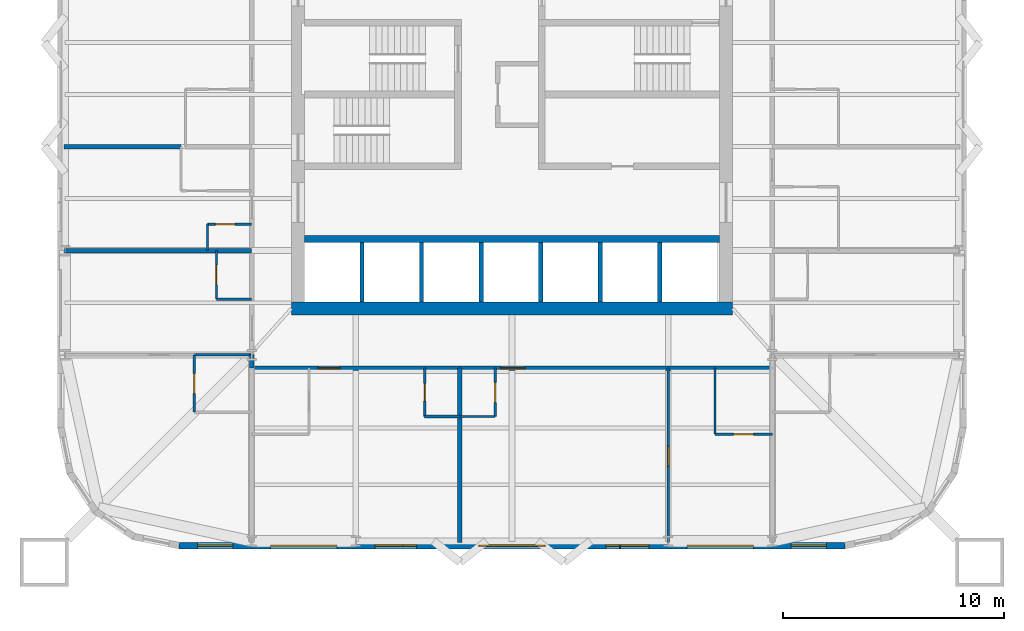
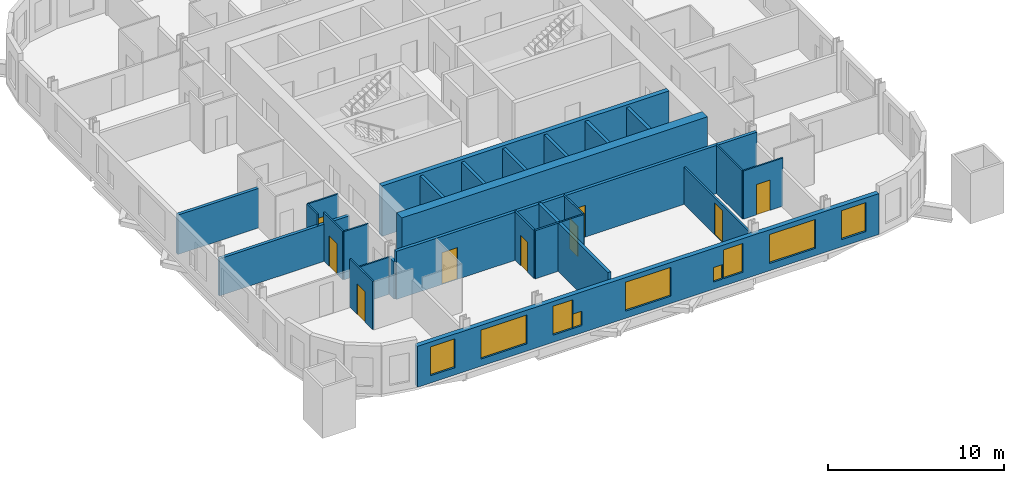
# One storey, part 3 of 9: 27 walls, 9 doors, 9 windows, 18 openings.
"""IFC4 building model written with IfcOpenShell, lengths in metres."""

from ifc_helpers import new_model, si_unit, direction, frame, frame_2d, origin, place, context, subcontext, project, spatial, rectangle, extrude, material, layer, layer_set, type_object, element, fill, save


model = new_model("IFC4")

# Units and contexts
model_context = context("Model", 3, precision=1e-05, world=origin(), true_north=direction((0.0, 1.0)))
body_context = subcontext(model_context, "Body", "Model", "MODEL_VIEW")
ifc_project = project(units=[si_unit("LENGTHUNIT", "METRE"), si_unit("AREAUNIT", "SQUARE_METRE"), si_unit("VOLUMEUNIT", "CUBIC_METRE"), si_unit("PLANEANGLEUNIT", "RADIAN"), si_unit("MASSUNIT", "GRAM", prefix="KILO")], contexts=[model_context])

# Site, building, storey
site_placement = place(None, origin())
site = spatial("IfcSite", under=ifc_project, at=site_placement, CompositionType="ELEMENT")
building_placement = place(site_placement, origin())
building = spatial("IfcBuilding", under=site, at=building_placement, Name="Turquesa Mirador Hotel Tower", CompositionType="ELEMENT")
storey_placement = place(building_placement, frame((0.0, 0.0, 128.39990234375)))
storey = spatial("IfcBuildingStorey", under=building, at=storey_placement, Name="L34", CompositionType="ELEMENT", Elevation=128.39990234375)

# Walls
ifc_material_1 = material(Name="Gypsum board on steel studs", Category="steel")
ifc_layer_1 = layer(ifc_material_1, 0.10009765625)
ifc_layer_set_1 = layer_set([ifc_layer_1], Name="BATHROOM WALL 100")
wall_type_1 = type_object("IfcWallType", Name="BATHROOM WALL 100", PredefinedType="PARTITIONING", material=ifc_layer_set_1)
wall_1_placement = place(storey_placement, frame((40.60009765625, 33.199951171875, 0.0), z_axis=(0.0, 0.0, 1.0), x_axis=(1.0, 0.0, 0.0)))
element("IfcWall", 1, at=wall_1_placement, inside=storey, type_object=wall_type_1, Name="Partition L34 001", PredefinedType="PARTITIONING", context=body_context, shape_type="SweptSolid", body=[
    extrude(rectangle(XDim=2.599853515625, YDim=0.10009765625, at=frame_2d((1.2998046875, 0.0))), origin(), (0.0, 0.0, 1.0), 2.5732421875),
])
wall_2_placement = place(storey_placement, frame((52.639892578125, 30.39990234375, 0.0), z_axis=(0.0, 0.0, 1.0), x_axis=(1.0, 0.0, 0.0)))
element("IfcWall", 2, at=wall_2_placement, inside=storey, type_object=wall_type_1, Name="Partition L34 008", PredefinedType="PARTITIONING", context=body_context, shape_type="SweptSolid", body=[
    extrude(rectangle(XDim=1.60009765625, YDim=0.10009765625, at=frame_2d((0.800048828125, 0.0))), origin(), (0.0, 0.0, 1.0), 3.330078125),
])

# Wall, opening, door
wall_3_placement = place(storey_placement, frame((64.199951171875, 29.60009765625, 0.0), z_axis=(0.0, 0.0, 1.0), x_axis=(1.0, 0.0, 0.0)))
wall_3 = element("IfcWall", 3, at=wall_3_placement, inside=storey, type_object=wall_type_1, Name="Partition L34 011", PredefinedType="PARTITIONING", context=body_context, shape_type="SweptSolid", body=[
    extrude(rectangle(XDim=2.60009765625, YDim=0.10009765625, at=frame_2d((1.300048828125, 0.0))), origin(), (0.0, 0.0, 1.0), 3.330078125),
])
opening_1_placement = place(wall_3_placement, frame((0.85009765625, 0.0, 0.0)))
opening_1 = element("IfcOpeningElement", 4, at=opening_1_placement, cuts=wall_3, Name="Opening D02", PredefinedType="OPENING", context=body_context, shape_type="SweptSolid", body=[
    extrude(rectangle(XDim=0.89990234375, YDim=2.10009765625, at=frame_2d((0.449951171875, 1.050048828125))), frame((0.0, 0.06005859375, 0.0), z_axis=(0.0, -1.0, 0.0), x_axis=(1.0, 0.0, 0.0)), (0.0, 0.0, 1.0), 0.1201171875),
])
ifc_material_2 = material(Name="Timber veneered door", Category="wood")
door_type_1 = type_object("IfcDoorType", Name="DOOR 900X2100 EN-SUITE", OperationType="SINGLE_SWING_RIGHT", PredefinedType="DOOR", material=ifc_material_2)
door_1_placement = place(opening_1_placement, origin())
door_1 = element("IfcDoor", 5, at=door_1_placement, inside=storey, type_object=door_type_1, Name="Door 3406B", OperationType="SINGLE_SWING_RIGHT", OverallHeight=2.10009765625, OverallWidth=0.89990234375, PredefinedType="DOOR", context=body_context, shape_type="SweptSolid", body=[
    extrude(rectangle(XDim=0.89990234375, YDim=2.10009765625, at=frame_2d((0.449951171875, 1.050048828125))), frame((0.0, 0.02490234375, 0.0), z_axis=(0.0, -1.0, 0.0), x_axis=(1.0, 0.0, 0.0)), (0.0, 0.0, 1.0), 0.050048828125),
])
fill(opening_1, door_1)

wall_4_placement = place(storey_placement, frame((41.199951171875, 39.1201171875, 0.0), z_axis=(0.0, 0.0, 1.0), x_axis=(1.0, 0.0, 0.0)))
wall_4 = element("IfcWall", 6, at=wall_4_placement, inside=storey, type_object=wall_type_1, Name="Partition L34 017", PredefinedType="PARTITIONING", context=body_context, shape_type="SweptSolid", body=[
    extrude(rectangle(XDim=2.0, YDim=0.10009765625, at=frame_2d((1.0, 0.0))), origin(), (0.0, 0.0, 1.0), 3.330078125),
])
opening_2_placement = place(wall_4_placement, frame((0.35009765625, 0.0, 0.0)))
opening_2 = element("IfcOpeningElement", 7, at=opening_2_placement, cuts=wall_4, Name="Opening D06", PredefinedType="OPENING", context=body_context, shape_type="SweptSolid", body=[
    extrude(rectangle(XDim=0.89990234375, YDim=2.10009765625, at=frame_2d((0.449951171875, 1.050048828125))), frame((0.0, 0.06005859375, 0.0), z_axis=(0.0, -1.0, 0.0), x_axis=(1.0, 0.0, 0.0)), (0.0, 0.0, 1.0), 0.1201171875),
])
ifc_material_3 = material(Name="Laminate door", Category="wood")
door_type_2 = type_object("IfcDoorType", Name="DOOR 900X2100 WC", OperationType="SINGLE_SWING_LEFT", PredefinedType="DOOR", material=ifc_material_3)
door_2_placement = place(opening_2_placement, origin())
door_2 = element("IfcDoor", 8, at=door_2_placement, inside=storey, type_object=door_type_2, Name="Door 3409W", OperationType="SINGLE_SWING_LEFT", OverallHeight=2.10009765625, OverallWidth=0.89990234375, PredefinedType="DOOR", context=body_context, shape_type="SweptSolid", body=[
    extrude(rectangle(XDim=0.89990234375, YDim=2.10009765625, at=frame_2d((0.449951171875, 1.050048828125))), frame((0.0, 0.02490234375, 0.0), z_axis=(0.0, -1.0, 0.0), x_axis=(1.0, 0.0, 0.0)), (0.0, 0.0, 1.0), 0.050048828125),
])
fill(opening_2, door_2)

# Wall
wall_5_placement = place(storey_placement, frame((41.60009765625, 35.719970703125, 0.0), z_axis=(0.0, 0.0, 1.0), x_axis=(1.0, 0.0, 0.0)))
element("IfcWall", 9, at=wall_5_placement, inside=storey, type_object=wall_type_1, Name="Partition L34 020", PredefinedType="PARTITIONING", context=body_context, shape_type="SweptSolid", body=[
    extrude(rectangle(XDim=1.599853515625, YDim=0.10009765625, at=frame_2d((0.7998046875, 0.0))), origin(), (0.0, 0.0, 1.0), 3.330078125),
])

# Wall, opening, door
wall_6_placement = place(storey_placement, frame((54.239990234375, 30.39990234375, 0.0), z_axis=(0.0, 0.0, 1.0), x_axis=(0.0, 1.0, 0.0)))
wall_6 = element("IfcWall", 10, at=wall_6_placement, inside=storey, type_object=wall_type_1, Name="Partition L34 043", PredefinedType="PARTITIONING", context=body_context, shape_type="SweptSolid", body=[
    extrude(rectangle(XDim=2.2001953125, YDim=0.10009765625, at=frame_2d((1.10009765625, 0.0))), origin(), (0.0, 0.0, 1.0), 3.330078125),
])
opening_3_placement = place(wall_6_placement, frame((0.64990234375, 0.0, 0.0)))
opening_3 = element("IfcOpeningElement", 11, at=opening_3_placement, cuts=wall_6, Name="Opening D06", PredefinedType="OPENING", context=body_context, shape_type="SweptSolid", body=[
    extrude(rectangle(XDim=0.89990234375, YDim=2.10009765625, at=frame_2d((0.449951171875, 1.050048828125))), frame((0.0, 0.06005859375, 0.0), z_axis=(0.0, -1.0, 0.0), x_axis=(1.0, 0.0, 0.0)), (0.0, 0.0, 1.0), 0.1201171875),
])
door_3_placement = place(opening_3_placement, origin())
door_3 = element("IfcDoor", 12, at=door_3_placement, inside=storey, type_object=door_type_2, Name="Door 3406W", OperationType="SINGLE_SWING_LEFT", OverallHeight=2.10009765625, OverallWidth=0.89990234375, PredefinedType="DOOR", context=body_context, shape_type="SweptSolid", body=[
    extrude(rectangle(XDim=0.89990234375, YDim=2.10009765625, at=frame_2d((0.449951171875, 1.050048828125))), frame((0.0, 0.02490234375, 0.0), z_axis=(0.0, -1.0, 0.0), x_axis=(1.0, 0.0, 0.0)), (0.0, 0.0, 1.0), 0.050048828125),
])
fill(opening_3, door_3)

wall_7_placement = place(storey_placement, frame((41.60009765625, 35.719970703125, 0.0), z_axis=(0.0, 0.0, 1.0), x_axis=(0.0, 1.0, 0.0)))
wall_7 = element("IfcWall", 13, at=wall_7_placement, inside=storey, type_object=wall_type_1, Name="Partition L34 047", PredefinedType="PARTITIONING", context=body_context, shape_type="SweptSolid", body=[
    extrude(rectangle(XDim=2.199951171875, YDim=0.10009765625, at=frame_2d((1.10009765625, 0.0))), origin(), (0.0, 0.0, 1.0), 3.330078125),
])
opening_4_placement = place(wall_7_placement, frame((0.64990234375, 0.0, 0.0)))
opening_4 = element("IfcOpeningElement", 14, at=opening_4_placement, cuts=wall_7, Name="Opening D06", PredefinedType="OPENING", context=body_context, shape_type="SweptSolid", body=[
    extrude(rectangle(XDim=0.89990234375, YDim=2.10009765625, at=frame_2d((0.449951171875, 1.050048828125))), frame((0.0, 0.06005859375, 0.0), z_axis=(0.0, -1.0, 0.0), x_axis=(1.0, 0.0, 0.0)), (0.0, 0.0, 1.0), 0.1201171875),
])
door_4_placement = place(opening_4_placement, origin())
door_4 = element("IfcDoor", 15, at=door_4_placement, inside=storey, type_object=door_type_2, Name="Door 3413W", OperationType="SINGLE_SWING_LEFT", OverallHeight=2.10009765625, OverallWidth=0.89990234375, PredefinedType="DOOR", context=body_context, shape_type="SweptSolid", body=[
    extrude(rectangle(XDim=0.89990234375, YDim=2.10009765625, at=frame_2d((0.449951171875, 1.050048828125))), frame((0.0, 0.02490234375, 0.0), z_axis=(0.0, -1.0, 0.0), x_axis=(1.0, 0.0, 0.0)), (0.0, 0.0, 1.0), 0.050048828125),
])
fill(opening_4, door_4)

# Wall
wall_8_placement = place(storey_placement, frame((41.199951171875, 37.919921875, 0.0), z_axis=(0.0, 0.0, 1.0), x_axis=(0.0, 1.0, 0.0)))
element("IfcWall", 16, at=wall_8_placement, inside=storey, type_object=wall_type_1, Name="Partition L34 049", PredefinedType="PARTITIONING", context=body_context, shape_type="SweptSolid", body=[
    extrude(rectangle(XDim=1.2001953125, YDim=0.10009765625, at=frame_2d((0.60009765625, 0.0))), origin(), (0.0, 0.0, 1.0), 3.330078125),
])

# Wall, opening, door
wall_9_placement = place(storey_placement, frame((40.60009765625, 30.60009765625, 0.0), z_axis=(0.0, 0.0, 1.0), x_axis=(0.0, 1.0, 0.0)))
wall_9 = element("IfcWall", 17, at=wall_9_placement, inside=storey, type_object=wall_type_1, Name="Partition L34 051", PredefinedType="PARTITIONING", context=body_context, shape_type="SweptSolid", body=[
    extrude(rectangle(XDim=2.599853515625, YDim=0.10009765625, at=frame_2d((1.2998046875, 0.0))), origin(), (0.0, 0.0, 1.0), 3.330078125),
])
opening_5_placement = place(wall_9_placement, frame((0.85009765625, 0.0, 0.0)))
opening_5 = element("IfcOpeningElement", 18, at=opening_5_placement, cuts=wall_9, Name="Opening D02", PredefinedType="OPENING", context=body_context, shape_type="SweptSolid", body=[
    extrude(rectangle(XDim=0.89990234375, YDim=2.10009765625, at=frame_2d((0.449951171875, 1.050048828125))), frame((0.0, 0.06005859375, 0.0), z_axis=(0.0, -1.0, 0.0), x_axis=(1.0, 0.0, 0.0)), (0.0, 0.0, 1.0), 0.1201171875),
])
door_5_placement = place(opening_5_placement, origin())
door_5 = element("IfcDoor", 19, at=door_5_placement, inside=storey, type_object=door_type_1, Name="Door 3413B", OperationType="SINGLE_SWING_RIGHT", OverallHeight=2.10009765625, OverallWidth=0.89990234375, PredefinedType="DOOR", context=body_context, shape_type="SweptSolid", body=[
    extrude(rectangle(XDim=0.89990234375, YDim=2.10009765625, at=frame_2d((0.449951171875, 1.050048828125))), frame((0.0, 0.02490234375, 0.0), z_axis=(0.0, -1.0, 0.0), x_axis=(1.0, 0.0, 0.0)), (0.0, 0.0, 1.0), 0.050048828125),
])
fill(opening_5, door_5)

# Walls
wall_10_placement = place(storey_placement, frame((64.199951171875, 29.60009765625, 0.0), z_axis=(0.0, 0.0, 1.0), x_axis=(0.0, 1.0, 0.0)))
element("IfcWall", 20, at=wall_10_placement, inside=storey, type_object=wall_type_1, Name="Partition L34 079", PredefinedType="PARTITIONING", context=body_context, shape_type="SweptSolid", body=[
    extrude(rectangle(XDim=3.0, YDim=0.10009765625, at=frame_2d((1.5, 0.0))), origin(), (0.0, 0.0, 1.0), 3.330078125),
])
ifc_material_4 = material(Name="Concrete C50/60", Category="concrete")
ifc_layer_2 = layer(ifc_material_4, 0.300048828125)
ifc_layer_set_2 = layer_set([ifc_layer_2], Name="CORE INNER WALL 300")
wall_type_2 = type_object("IfcWallType", Name="CORE INNER WALL 300", PredefinedType="SHEAR", material=ifc_layer_set_2)
wall_11_placement = place(storey_placement, frame((45.60009765625, 38.449951171875, 0.0), z_axis=(0.0, 0.0, 1.0), x_axis=(1.0, 0.0, 0.0)))
element("IfcWall", 21, at=wall_11_placement, inside=storey, type_object=wall_type_2, Name="Core wall SL", PredefinedType="SHEAR", context=body_context, shape_type="SweptSolid", body=[
    extrude(rectangle(XDim=18.7998046875, YDim=0.300048828125, at=frame_2d((9.39990234375, 0.0))), origin(), (0.0, 0.0, 1.0), 3.5),
])
ifc_material_5 = material(Name="Concrete C50/60", Category="concrete")
ifc_layer_3 = layer(ifc_material_5, 0.60009765625)
ifc_layer_set_3 = layer_set([ifc_layer_3], Name="CORE WALL 600")
wall_type_3 = type_object("IfcWallType", Name="CORE WALL 600", PredefinedType="SHEAR", material=ifc_layer_set_3)
wall_12_placement = place(storey_placement, frame((45.0, 35.300048828125, 0.0), z_axis=(0.0, 0.0, 1.0), x_axis=(1.0, 0.0, 0.0)))
element("IfcWall", 22, at=wall_12_placement, inside=storey, type_object=wall_type_3, Name="Core wall S", PredefinedType="SHEAR", context=body_context, shape_type="SweptSolid", body=[
    extrude(rectangle(XDim=20.0, YDim=0.60009765625, at=frame_2d((10.0, 0.0))), origin(), (0.0, 0.0, 1.0), 3.5),
])

# Wall, openings, doors
ifc_material_6 = material(Name="Fire-rated gypsum board on steel studs", Category="steel")
ifc_layer_4 = layer(ifc_material_6, 0.199951171875)
ifc_layer_set_4 = layer_set([ifc_layer_4], Name="CORRIDOR WALL 200")
wall_type_4 = type_object("IfcWallType", Name="CORRIDOR WALL 200", PredefinedType="PARTITIONING", material=ifc_layer_set_4)
wall_13_placement = place(storey_placement, frame((43.199951171875, 32.60009765625, 0.0), z_axis=(0.0, 0.0, 1.0), x_axis=(1.0, 0.0, 0.0)))
wall_13 = element("IfcWall", 23, at=wall_13_placement, inside=storey, type_object=wall_type_4, Name="Partition L34 005", PredefinedType="PARTITIONING", context=body_context, shape_type="SweptSolid", body=[
    extrude(rectangle(XDim=23.60009765625, YDim=0.199951171875, at=frame_2d((11.800048828125, 0.0))), origin(), (0.0, 0.0, 1.0), 3.330078125),
])
opening_6_placement = place(wall_13_placement, frame((3.0, 0.0, 0.0)))
opening_6 = element("IfcOpeningElement", 24, at=opening_6_placement, cuts=wall_13, Name="Opening D01", PredefinedType="OPENING", context=body_context, shape_type="SweptSolid", body=[
    extrude(rectangle(XDim=1.0, YDim=2.199951171875, at=frame_2d((0.5, 1.10009765625))), frame((0.0, 0.10986328125, 0.0), z_axis=(0.0, -1.0, 0.0), x_axis=(1.0, 0.0, 0.0)), (0.0, 0.0, 1.0), 0.219970703125),
])
opening_7_placement = place(wall_13_placement, frame((11.2900390625, 0.0, 0.0)))
opening_7 = element("IfcOpeningElement", 25, at=opening_7_placement, cuts=wall_13, Name="Opening D15", PredefinedType="OPENING", context=body_context, shape_type="SweptSolid", body=[
    extrude(rectangle(XDim=1.10009765625, YDim=2.199951171875, at=frame_2d((0.550048828125, 1.10009765625))), frame((0.0, 0.10986328125, 0.0), z_axis=(0.0, -1.0, 0.0), x_axis=(1.0, 0.0, 0.0)), (0.0, 0.0, 1.0), 0.219970703125),
])
ifc_material_7 = material(Name="Timber veneered fire door", Category="wood")
door_type_3 = type_object("IfcDoorType", Name="DOOR 1000X2200 GUEST ENTRY", OperationType="SINGLE_SWING_LEFT", PredefinedType="DOOR", material=ifc_material_7)
door_6_placement = place(opening_6_placement, origin())
door_6 = element("IfcDoor", 26, at=door_6_placement, inside=storey, type_object=door_type_3, Name="Door 3405", OperationType="SINGLE_SWING_LEFT", OverallHeight=2.199951171875, OverallWidth=1.0, PredefinedType="DOOR", context=body_context, shape_type="SweptSolid", body=[
    extrude(rectangle(XDim=1.0, YDim=2.199951171875, at=frame_2d((0.5, 1.10009765625))), frame((0.0, 0.02490234375, 0.0), z_axis=(0.0, -1.0, 0.0), x_axis=(1.0, 0.0, 0.0)), (0.0, 0.0, 1.0), 0.050048828125),
])
fill(opening_6, door_6)
ifc_material_8 = material(Name="Timber veneered fire door", Category="wood")
door_type_4 = type_object("IfcDoorType", Name="DOOR 1100X2200 SUITE ENTRY", OperationType="SINGLE_SWING_LEFT", PredefinedType="DOOR", material=ifc_material_8)
door_7_placement = place(opening_7_placement, origin())
door_7 = element("IfcDoor", 27, at=door_7_placement, inside=storey, type_object=door_type_4, Name="Door 3406", OperationType="SINGLE_SWING_LEFT", OverallHeight=2.199951171875, OverallWidth=1.10009765625, PredefinedType="DOOR", context=body_context, shape_type="SweptSolid", body=[
    extrude(rectangle(XDim=1.10009765625, YDim=2.199951171875, at=frame_2d((0.550048828125, 1.10009765625))), frame((0.0, 0.02490234375, 0.0), z_axis=(0.0, -1.0, 0.0), x_axis=(1.0, 0.0, 0.0)), (0.0, 0.0, 1.0), 0.050048828125),
])
fill(opening_7, door_7)

# Wall
wall_14_placement = place(storey_placement, frame((43.199951171875, 32.60009765625, 0.0), z_axis=(0.0, 0.0, 1.0), x_axis=(0.0, 1.0, 0.0)))
element("IfcWall", 28, at=wall_14_placement, inside=storey, type_object=wall_type_4, Name="Partition L34 080", PredefinedType="PARTITIONING", context=body_context, shape_type="SweptSolid", body=[
    extrude(rectangle(XDim=0.619873046875, YDim=0.199951171875, at=frame_2d((0.31005859375, 0.0))), origin(), (0.0, 0.0, 1.0), 2.5732421875),
])

# Wall, openings, windows
ifc_material_9 = material(Name="Limestone cladding on concrete block", Category="masonry")
ifc_layer_5 = layer(ifc_material_9, 0.300048828125)
ifc_layer_set_5 = layer_set([ifc_layer_5], Name="FACADE WALL 300 STONE SCREEN")
wall_type_5 = type_object("IfcWallType", Name="FACADE WALL 300 STONE SCREEN", PredefinedType="SOLIDWALL", material=ifc_layer_set_5)
wall_15_placement = place(storey_placement, frame((39.89990234375, 24.550048828125, 0.0), z_axis=(0.0, 0.0, 1.0), x_axis=(1.0, 0.0, 0.0)))
wall_15 = element("IfcWall", 29, at=wall_15_placement, inside=storey, type_object=wall_type_5, Name="Facade wall L34 19", PredefinedType="SOLIDWALL", context=body_context, shape_type="SweptSolid", body=[
    extrude(rectangle(XDim=30.2001953125, YDim=0.300048828125, at=frame_2d((15.10009765625, 0.0))), origin(), (0.0, 0.0, 1.0), 2.830078125),
])
opening_8_placement = place(wall_15_placement, frame((0.85009765625, 0.0, 0.5)))
opening_8 = element("IfcOpeningElement", 30, at=opening_8_placement, cuts=wall_15, Name="Opening WN3", PredefinedType="OPENING", context=body_context, shape_type="SweptSolid", body=[
    extrude(rectangle(XDim=1.60009765625, YDim=2.0, at=frame_2d((0.800048828125, 1.0))), frame((0.0, 0.159912109375, 0.0), z_axis=(0.0, -1.0, 0.0), x_axis=(1.0, 0.0, 0.0)), (0.0, 0.0, 1.0), 0.320068359375),
])
opening_9_placement = place(wall_15_placement, frame((4.159912109375, 0.0, 0.5)))
opening_9 = element("IfcOpeningElement", 31, at=opening_9_placement, cuts=wall_15, Name="Opening WN1", PredefinedType="OPENING", context=body_context, shape_type="SweptSolid", body=[
    extrude(rectangle(XDim=3.0, YDim=2.0, at=frame_2d((1.5, 1.0))), frame((0.0, 0.159912109375, 0.0), z_axis=(0.0, -1.0, 0.0), x_axis=(1.0, 0.0, 0.0)), (0.0, 0.0, 1.0), 0.320068359375),
])
opening_10_placement = place(wall_15_placement, frame((8.8798828125, 0.0, 0.5)))
opening_10 = element("IfcOpeningElement", 32, at=opening_10_placement, cuts=wall_15, Name="Opening WN42", PredefinedType="OPENING", context=body_context, shape_type="SweptSolid", body=[
    extrude(rectangle(XDim=1.300048828125, YDim=2.0, at=frame_2d((0.64990234375, 1.0))), frame((0.0, 0.159912109375, 0.0), z_axis=(0.0, -1.0, 0.0), x_axis=(1.0, 0.0, 0.0)), (0.0, 0.0, 1.0), 0.320068359375),
])
opening_11_placement = place(wall_15_placement, frame((13.60009765625, 0.0, 0.5)))
opening_11 = element("IfcOpeningElement", 33, at=opening_11_placement, cuts=wall_15, Name="Opening WN1", PredefinedType="OPENING", context=body_context, shape_type="SweptSolid", body=[
    extrude(rectangle(XDim=3.0, YDim=2.0, at=frame_2d((1.5, 1.0))), frame((0.0, 0.159912109375, 0.0), z_axis=(0.0, -1.0, 0.0), x_axis=(1.0, 0.0, 0.0)), (0.0, 0.0, 1.0), 0.320068359375),
])
opening_12_placement = place(wall_15_placement, frame((20.02001953125, 0.0, 0.5)))
opening_12 = element("IfcOpeningElement", 34, at=opening_12_placement, cuts=wall_15, Name="Opening WN42", PredefinedType="OPENING", context=body_context, shape_type="SweptSolid", body=[
    extrude(rectangle(XDim=1.300048828125, YDim=2.0, at=frame_2d((0.64990234375, 1.0))), frame((0.0, 0.159912109375, 0.0), z_axis=(0.0, -1.0, 0.0), x_axis=(1.0, 0.0, 0.0)), (0.0, 0.0, 1.0), 0.320068359375),
])
opening_13_placement = place(wall_15_placement, frame((23.0400390625, 0.0, 0.5)))
opening_13 = element("IfcOpeningElement", 35, at=opening_13_placement, cuts=wall_15, Name="Opening WN1", PredefinedType="OPENING", context=body_context, shape_type="SweptSolid", body=[
    extrude(rectangle(XDim=3.0, YDim=2.0, at=frame_2d((1.5, 1.0))), frame((0.0, 0.159912109375, 0.0), z_axis=(0.0, -1.0, 0.0), x_axis=(1.0, 0.0, 0.0)), (0.0, 0.0, 1.0), 0.320068359375),
])
opening_14_placement = place(wall_15_placement, frame((27.75, 0.0, 0.5)))
opening_14 = element("IfcOpeningElement", 36, at=opening_14_placement, cuts=wall_15, Name="Opening WN3", PredefinedType="OPENING", context=body_context, shape_type="SweptSolid", body=[
    extrude(rectangle(XDim=1.60009765625, YDim=2.0, at=frame_2d((0.800048828125, 1.0))), frame((0.0, 0.159912109375, 0.0), z_axis=(0.0, -1.0, 0.0), x_axis=(1.0, 0.0, 0.0)), (0.0, 0.0, 1.0), 0.320068359375),
])
opening_15_placement = place(wall_15_placement, frame((10.179931640625, 0.0, 0.5)))
opening_15 = element("IfcOpeningElement", 37, at=opening_15_placement, cuts=wall_15, Name="Opening WN29", PredefinedType="OPENING", context=body_context, shape_type="SweptSolid", body=[
    extrude(rectangle(XDim=0.60009765625, YDim=1.0, at=frame_2d((0.300048828125, 0.5))), frame((0.0, 0.159912109375, 0.0), z_axis=(0.0, -1.0, 0.0), x_axis=(1.0, 0.0, 0.0)), (0.0, 0.0, 1.0), 0.320068359375),
])
opening_16_placement = place(wall_15_placement, frame((19.3701171875, 0.0, 0.5)))
opening_16 = element("IfcOpeningElement", 38, at=opening_16_placement, cuts=wall_15, Name="Opening WN29", PredefinedType="OPENING", context=body_context, shape_type="SweptSolid", body=[
    extrude(rectangle(XDim=0.60009765625, YDim=1.0, at=frame_2d((0.300048828125, 0.5))), frame((0.0, 0.159912109375, 0.0), z_axis=(0.0, -1.0, 0.0), x_axis=(1.0, 0.0, 0.0)), (0.0, 0.0, 1.0), 0.320068359375),
])
ifc_material_10 = material(Name="Ceramic-fritted laminated glass", Category="glass")
window_type_1 = type_object("IfcWindowType", Name="FRITTED WINDOW 1300X2000", PartitioningType="DOUBLE_PANEL_HORIZONTAL", PredefinedType="WINDOW", material=ifc_material_10)
window_1_placement = place(opening_10_placement, origin())
window_1 = element("IfcWindow", 39, at=window_1_placement, inside=storey, type_object=window_type_1, Name="Window L34", OverallHeight=2.0, OverallWidth=1.300048828125, PartitioningType="SINGLE_PANEL", PredefinedType="WINDOW", context=body_context, shape_type="SweptSolid", body=[
    extrude(rectangle(XDim=1.300048828125, YDim=2.0, at=frame_2d((0.64990234375, 1.0))), frame((0.0, 0.030029296875, 0.0), z_axis=(0.0, -1.0, 0.0), x_axis=(1.0, 0.0, 0.0)), (0.0, 0.0, 1.0), 0.06005859375),
])
fill(opening_10, window_1)
window_2_placement = place(opening_12_placement, origin())
window_2 = element("IfcWindow", 40, at=window_2_placement, inside=storey, type_object=window_type_1, Name="Window L34", OverallHeight=2.0, OverallWidth=1.300048828125, PartitioningType="SINGLE_PANEL", PredefinedType="WINDOW", context=body_context, shape_type="SweptSolid", body=[
    extrude(rectangle(XDim=1.300048828125, YDim=2.0, at=frame_2d((0.64990234375, 1.0))), frame((0.0, 0.030029296875, 0.0), z_axis=(0.0, -1.0, 0.0), x_axis=(1.0, 0.0, 0.0)), (0.0, 0.0, 1.0), 0.06005859375),
])
fill(opening_12, window_2)
ifc_material_11 = material(Name="Ceramic-fritted laminated glass", Category="glass")
window_type_2 = type_object("IfcWindowType", Name="FRITTED WINDOW 1600X2000", PartitioningType="DOUBLE_PANEL_HORIZONTAL", PredefinedType="WINDOW", material=ifc_material_11)
window_3_placement = place(opening_8_placement, origin())
window_3 = element("IfcWindow", 41, at=window_3_placement, inside=storey, type_object=window_type_2, Name="Window L34", OverallHeight=2.0, OverallWidth=1.60009765625, PartitioningType="SINGLE_PANEL", PredefinedType="WINDOW", context=body_context, shape_type="SweptSolid", body=[
    extrude(rectangle(XDim=1.60009765625, YDim=2.0, at=frame_2d((0.800048828125, 1.0))), frame((0.0, 0.030029296875, 0.0), z_axis=(0.0, -1.0, 0.0), x_axis=(1.0, 0.0, 0.0)), (0.0, 0.0, 1.0), 0.06005859375),
])
fill(opening_8, window_3)
window_4_placement = place(opening_14_placement, origin())
window_4 = element("IfcWindow", 42, at=window_4_placement, inside=storey, type_object=window_type_2, Name="Window L34", OverallHeight=2.0, OverallWidth=1.60009765625, PartitioningType="SINGLE_PANEL", PredefinedType="WINDOW", context=body_context, shape_type="SweptSolid", body=[
    extrude(rectangle(XDim=1.60009765625, YDim=2.0, at=frame_2d((0.800048828125, 1.0))), frame((0.0, 0.030029296875, 0.0), z_axis=(0.0, -1.0, 0.0), x_axis=(1.0, 0.0, 0.0)), (0.0, 0.0, 1.0), 0.06005859375),
])
fill(opening_14, window_4)
ifc_material_12 = material(Name="Ceramic-fritted laminated glass", Category="glass")
window_type_3 = type_object("IfcWindowType", Name="FRITTED WINDOW 3000X2000", PartitioningType="DOUBLE_PANEL_HORIZONTAL", PredefinedType="WINDOW", material=ifc_material_12)
window_5_placement = place(opening_9_placement, origin())
window_5 = element("IfcWindow", 43, at=window_5_placement, inside=storey, type_object=window_type_3, Name="Window L34", OverallHeight=2.0, OverallWidth=3.0, PartitioningType="SINGLE_PANEL", PredefinedType="WINDOW", context=body_context, shape_type="SweptSolid", body=[
    extrude(rectangle(XDim=3.0, YDim=2.0, at=frame_2d((1.5, 1.0))), frame((0.0, 0.030029296875, 0.0), z_axis=(0.0, -1.0, 0.0), x_axis=(1.0, 0.0, 0.0)), (0.0, 0.0, 1.0), 0.06005859375),
])
fill(opening_9, window_5)
window_6_placement = place(opening_11_placement, origin())
window_6 = element("IfcWindow", 44, at=window_6_placement, inside=storey, type_object=window_type_3, Name="Window L34", OverallHeight=2.0, OverallWidth=3.0, PartitioningType="SINGLE_PANEL", PredefinedType="WINDOW", context=body_context, shape_type="SweptSolid", body=[
    extrude(rectangle(XDim=3.0, YDim=2.0, at=frame_2d((1.5, 1.0))), frame((0.0, 0.030029296875, 0.0), z_axis=(0.0, -1.0, 0.0), x_axis=(1.0, 0.0, 0.0)), (0.0, 0.0, 1.0), 0.06005859375),
])
fill(opening_11, window_6)
window_7_placement = place(opening_13_placement, origin())
window_7 = element("IfcWindow", 45, at=window_7_placement, inside=storey, type_object=window_type_3, Name="Window L34", OverallHeight=2.0, OverallWidth=3.0, PartitioningType="SINGLE_PANEL", PredefinedType="WINDOW", context=body_context, shape_type="SweptSolid", body=[
    extrude(rectangle(XDim=3.0, YDim=2.0, at=frame_2d((1.5, 1.0))), frame((0.0, 0.030029296875, 0.0), z_axis=(0.0, -1.0, 0.0), x_axis=(1.0, 0.0, 0.0)), (0.0, 0.0, 1.0), 0.06005859375),
])
fill(opening_13, window_7)
ifc_material_13 = material(Name="Ceramic-fritted laminated glass", Category="glass")
window_type_4 = type_object("IfcWindowType", Name="FRITTED WINDOW 600X1000", PartitioningType="DOUBLE_PANEL_HORIZONTAL", PredefinedType="WINDOW", material=ifc_material_13)
window_8_placement = place(opening_15_placement, origin())
window_8 = element("IfcWindow", 46, at=window_8_placement, inside=storey, type_object=window_type_4, Name="Window L34", OverallHeight=1.0, OverallWidth=0.60009765625, PartitioningType="SINGLE_PANEL", PredefinedType="WINDOW", context=body_context, shape_type="SweptSolid", body=[
    extrude(rectangle(XDim=0.60009765625, YDim=1.0, at=frame_2d((0.300048828125, 0.5))), frame((0.0, 0.030029296875, 0.0), z_axis=(0.0, -1.0, 0.0), x_axis=(1.0, 0.0, 0.0)), (0.0, 0.0, 1.0), 0.06005859375),
])
fill(opening_15, window_8)
window_9_placement = place(opening_16_placement, origin())
window_9 = element("IfcWindow", 47, at=window_9_placement, inside=storey, type_object=window_type_4, Name="Window L34", OverallHeight=1.0, OverallWidth=0.60009765625, PartitioningType="SINGLE_PANEL", PredefinedType="WINDOW", context=body_context, shape_type="SweptSolid", body=[
    extrude(rectangle(XDim=0.60009765625, YDim=1.0, at=frame_2d((0.300048828125, 0.5))), frame((0.0, 0.030029296875, 0.0), z_axis=(0.0, -1.0, 0.0), x_axis=(1.0, 0.0, 0.0)), (0.0, 0.0, 1.0), 0.06005859375),
])
fill(opening_16, window_9)

# Walls
ifc_material_14 = material(Name="Fire-rated gypsum shaft wall on steel studs", Category="steel")
ifc_layer_6 = layer(ifc_material_14, 0.199951171875)
ifc_layer_set_6 = layer_set([ifc_layer_6], Name="LIFT SHAFT DIVIDER 200")
wall_type_6 = type_object("IfcWallType", Name="LIFT SHAFT DIVIDER 200", PredefinedType="PARTITIONING", material=ifc_layer_set_6)
for number, where, z_axis, x_axis, name in (
    (48, (48.199951171875, 35.60009765625, 0.0), (0.0, 0.0, 1.0), (0.0, 1.0, 0.0), "Lift shaft divider"),
    (49, (50.89990234375, 35.60009765625, 0.0), (0.0, 0.0, 1.0), (0.0, 1.0, 0.0), "Lift shaft divider"),
    (50, (53.60009765625, 35.60009765625, 0.0), (0.0, 0.0, 1.0), (0.0, 1.0, 0.0), "Lift shaft divider"),
    (51, (56.300048828125, 35.60009765625, 0.0), (0.0, 0.0, 1.0), (0.0, 1.0, 0.0), "Lift shaft divider"),
    (52, (59.0, 35.60009765625, 0.0), (0.0, 0.0, 1.0), (0.0, 1.0, 0.0), "Lift shaft divider"),
    (53, (61.699951171875, 35.60009765625, 0.0), (0.0, 0.0, 1.0), (0.0, 1.0, 0.0), "Lift shaft divider"),
):
    element("IfcWall", number, at=place(storey_placement, frame(where, z_axis=z_axis, x_axis=x_axis)), inside=storey, type_object=wall_type_6, Name=name, PredefinedType="PARTITIONING", context=body_context, shape_type="SweptSolid", body=[
        extrude(rectangle(XDim=2.699951171875, YDim=0.199951171875, at=frame_2d((1.35009765625, 0.0))), origin(), (0.0, 0.0, 1.0), 3.330078125),
    ])
ifc_material_15 = material(Name="Fire-rated gypsum board on steel studs", Category="steel")
ifc_layer_7 = layer(ifc_material_15, 0.199951171875)
ifc_layer_set_7 = layer_set([ifc_layer_7], Name="PARTY WALL 200")
wall_type_7 = type_object("IfcWallType", Name="PARTY WALL 200", PredefinedType="PARTITIONING", material=ifc_layer_set_7)
wall_16_placement = place(storey_placement, frame((34.699951171875, 42.639892578125, 0.0), z_axis=(0.0, 0.0, 1.0), x_axis=(1.0, 0.0, 0.0)))
element("IfcWall", 54, at=wall_16_placement, inside=storey, type_object=wall_type_7, Name="Partition L34 012", PredefinedType="PARTITIONING", context=body_context, shape_type="SweptSolid", body=[
    extrude(rectangle(XDim=5.300048828125, YDim=0.199951171875, at=frame_2d((2.64990234375, 0.0))), origin(), (0.0, 0.0, 1.0), 2.730712890625),
])
wall_17_placement = place(storey_placement, frame((34.699951171875, 37.919921875, 0.0), z_axis=(0.0, 0.0, 1.0), x_axis=(1.0, 0.0, 0.0)))
element("IfcWall", 55, at=wall_17_placement, inside=storey, type_object=wall_type_7, Name="Partition L34 018", PredefinedType="PARTITIONING", context=body_context, shape_type="SweptSolid", body=[
    extrude(rectangle(XDim=8.5, YDim=0.199951171875, at=frame_2d((4.25, 0.0))), origin(), (0.0, 0.0, 1.0), 2.5732421875),
])
wall_18_placement = place(storey_placement, frame((52.639892578125, 24.699951171875, 0.0), z_axis=(0.0, 0.0, 1.0), x_axis=(0.0, 1.0, 0.0)))
element("IfcWall", 56, at=wall_18_placement, inside=storey, type_object=wall_type_7, Name="Partition L34 055", PredefinedType="PARTITIONING", context=body_context, shape_type="SweptSolid", body=[
    extrude(rectangle(XDim=7.900146484375, YDim=0.199951171875, at=frame_2d((3.9501953125, 0.0))), origin(), (0.0, 0.0, 1.0), 3.330078125),
])
ifc_material_16 = material(Name="Acoustic gypsum board on steel studs", Category="steel")
ifc_layer_8 = layer(ifc_material_16, 0.125)
ifc_layer_set_8 = layer_set([ifc_layer_8], Name="SUITE PARTITION 125")
wall_type_8 = type_object("IfcWallType", Name="SUITE PARTITION 125", PredefinedType="PARTITIONING", material=ifc_layer_set_8)
wall_19_placement = place(storey_placement, frame((51.0400390625, 30.39990234375, 0.0), z_axis=(0.0, 0.0, 1.0), x_axis=(1.0, 0.0, 0.0)))
element("IfcWall", 57, at=wall_19_placement, inside=storey, type_object=wall_type_8, Name="Partition L34 009", PredefinedType="PARTITIONING", context=body_context, shape_type="SweptSolid", body=[
    extrude(rectangle(XDim=1.599853515625, YDim=0.125, at=frame_2d((0.7998046875, 0.0))), origin(), (0.0, 0.0, 1.0), 3.330078125),
])

# Wall, opening, door
wall_20_placement = place(storey_placement, frame((51.0400390625, 30.39990234375, 0.0), z_axis=(0.0, 0.0, 1.0), x_axis=(0.0, 1.0, 0.0)))
wall_20 = element("IfcWall", 58, at=wall_20_placement, inside=storey, type_object=wall_type_8, Name="Partition L34 058", PredefinedType="PARTITIONING", context=body_context, shape_type="SweptSolid", body=[
    extrude(rectangle(XDim=2.2001953125, YDim=0.125, at=frame_2d((1.10009765625, 0.0))), origin(), (0.0, 0.0, 1.0), 3.330078125),
])
opening_17_placement = place(wall_20_placement, frame((0.699951171875, 0.0, 0.0)))
opening_17 = element("IfcOpeningElement", 59, at=opening_17_placement, cuts=wall_20, Name="Opening D20", PredefinedType="OPENING", context=body_context, shape_type="SweptSolid", body=[
    extrude(rectangle(XDim=0.800048828125, YDim=2.10009765625, at=frame_2d((0.39990234375, 1.050048828125))), frame((0.0, 0.072509765625, 0.0), z_axis=(0.0, -1.0, 0.0), x_axis=(1.0, 0.0, 0.0)), (0.0, 0.0, 1.0), 0.14501953125),
])
ifc_material_17 = material(Name="Timber veneered sliding door", Category="wood")
door_type_5 = type_object("IfcDoorType", Name="DOOR 800X2100 WARDROBE", OperationType="SLIDING_TO_LEFT", PredefinedType="DOOR", material=ifc_material_17)
door_8_placement = place(opening_17_placement, origin())
door_8 = element("IfcDoor", 60, at=door_8_placement, inside=storey, type_object=door_type_5, Name="Door 3405W", OperationType="SLIDING_TO_LEFT", OverallHeight=2.10009765625, OverallWidth=0.800048828125, PredefinedType="DOOR", context=body_context, shape_type="SweptSolid", body=[
    extrude(rectangle(XDim=0.800048828125, YDim=2.10009765625, at=frame_2d((0.39990234375, 1.050048828125))), frame((0.0, 0.02490234375, 0.0), z_axis=(0.0, -1.0, 0.0), x_axis=(1.0, 0.0, 0.0)), (0.0, 0.0, 1.0), 0.050048828125),
])
fill(opening_17, door_8)

wall_21_placement = place(storey_placement, frame((62.080078125, 24.699951171875, 0.0), z_axis=(0.0, 0.0, 1.0), x_axis=(0.0, 1.0, 0.0)))
wall_21 = element("IfcWall", 61, at=wall_21_placement, inside=storey, type_object=wall_type_8, Name="Partition L34 077", PredefinedType="PARTITIONING", context=body_context, shape_type="SweptSolid", body=[
    extrude(rectangle(XDim=7.900146484375, YDim=0.125, at=frame_2d((3.9501953125, 0.0))), origin(), (0.0, 0.0, 1.0), 2.5732421875),
])
opening_18_placement = place(wall_21_placement, frame((3.449951171875, 0.0, 0.0)))
opening_18 = element("IfcOpeningElement", 62, at=opening_18_placement, cuts=wall_21, Name="Opening D17", PredefinedType="OPENING", context=body_context, shape_type="SweptSolid", body=[
    extrude(rectangle(XDim=0.89990234375, YDim=2.199951171875, at=frame_2d((0.449951171875, 1.10009765625))), frame((0.0, 0.072509765625, 0.0), z_axis=(0.0, -1.0, 0.0), x_axis=(1.0, 0.0, 0.0)), (0.0, 0.0, 1.0), 0.14501953125),
])
ifc_material_18 = material(Name="Timber veneered door", Category="wood")
door_type_6 = type_object("IfcDoorType", Name="DOOR 900X2200 SUITE INTERNAL", OperationType="SINGLE_SWING_LEFT", PredefinedType="DOOR", material=ifc_material_18)
door_9_placement = place(opening_18_placement, origin())
door_9 = element("IfcDoor", 63, at=door_9_placement, inside=storey, type_object=door_type_6, Name="Door 3406R", OperationType="SINGLE_SWING_LEFT", OverallHeight=2.199951171875, OverallWidth=0.89990234375, PredefinedType="DOOR", context=body_context, shape_type="SweptSolid", body=[
    extrude(rectangle(XDim=0.89990234375, YDim=2.199951171875, at=frame_2d((0.449951171875, 1.10009765625))), frame((0.0, 0.02490234375, 0.0), z_axis=(0.0, -1.0, 0.0), x_axis=(1.0, 0.0, 0.0)), (0.0, 0.0, 1.0), 0.050048828125),
])
fill(opening_18, door_9)

save(model, "model.ifc")
